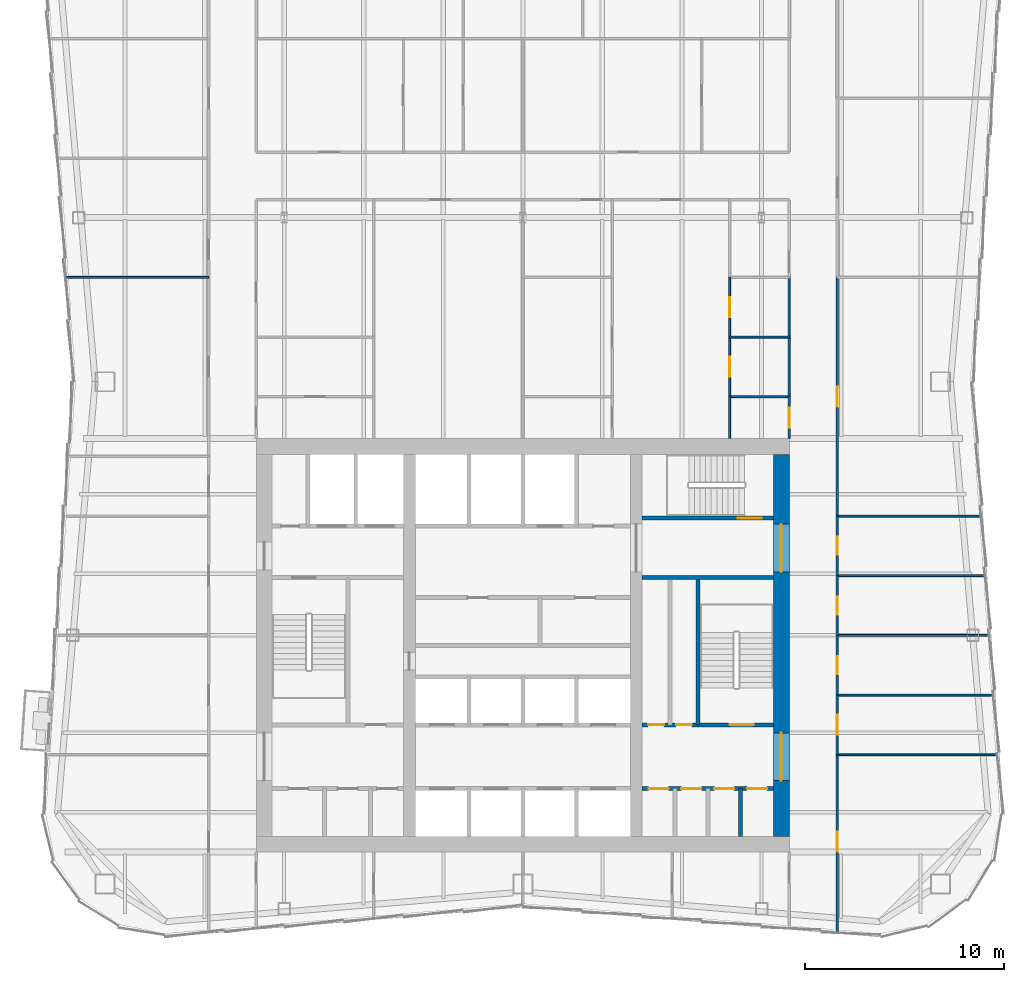
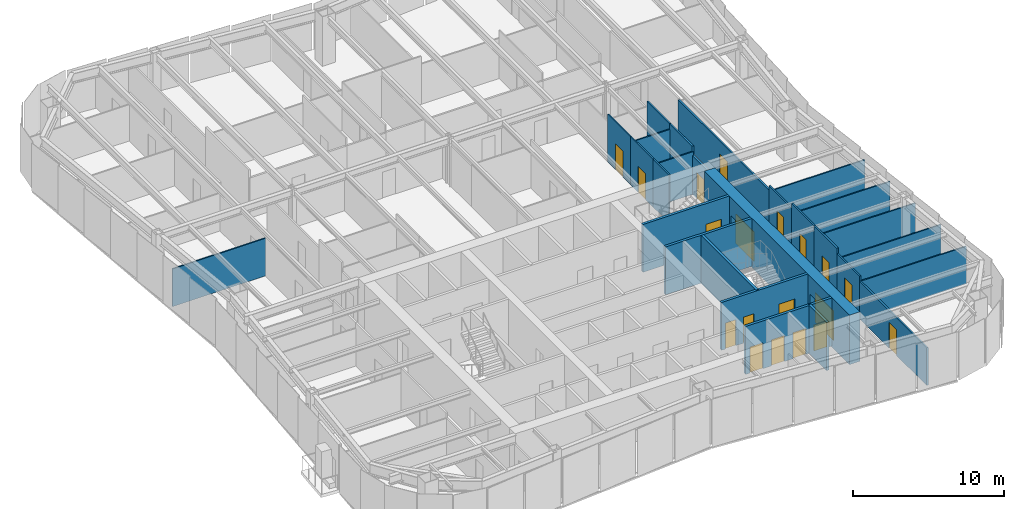
# One storey, part 8 of 12: 27 walls, 19 doors, 19 openings.
"""IFC4 building model written with IfcOpenShell, lengths in metres."""

from ifc_helpers import new_model, si_unit, direction, frame, frame_2d, origin, place, context, subcontext, project, spatial, rectangle, extrude, material, layer, layer_set, type_object, element, fill, save


model = new_model("IFC4")

# Units and contexts
model_context = context("Model", 3, precision=1e-05, world=origin(), true_north=direction((0.0, 1.0)))
body_context = subcontext(model_context, "Body", "Model", "MODEL_VIEW")
ifc_project = project(units=[si_unit("LENGTHUNIT", "METRE"), si_unit("AREAUNIT", "SQUARE_METRE"), si_unit("VOLUMEUNIT", "CUBIC_METRE"), si_unit("PLANEANGLEUNIT", "RADIAN"), si_unit("MASSUNIT", "GRAM", prefix="KILO")], contexts=[model_context])

# Site, building, storey
site_placement = place(None, origin())
site = spatial("IfcSite", under=ifc_project, at=site_placement, CompositionType="ELEMENT")
building_placement = place(site_placement, origin())
building = spatial("IfcBuilding", under=site, at=building_placement, Name="Verdant Reach Tower", CompositionType="ELEMENT")
storey_placement = place(building_placement, frame((0.0, 0.0, 270.0)))
storey = spatial("IfcBuildingStorey", under=building, at=storey_placement, Name="L62", CompositionType="ELEMENT", Elevation=270.0)

# Wall, openings, doors
ifc_material_1 = material(Name="Gypsum board on steel studs", Category="steel")
ifc_layer_1 = layer(ifc_material_1, 0.199951171875)
ifc_layer_set_1 = layer_set([ifc_layer_1], Name="CO-WALL-ROOM")
wall_type_1 = type_object("IfcWallType", Name="CO-WALL-ROOM", PredefinedType="PARTITIONING", material=ifc_layer_set_1)
wall_1_placement = place(storey_placement, frame((6.0, 20.800048828125, 0.0), z_axis=(0.0, 0.0, 1.0), x_axis=(1.0, 0.0, 0.0)))
wall_1 = element("IfcWall", 1, at=wall_1_placement, inside=storey, type_object=wall_type_1, Name="Core partition, L62", PredefinedType="PARTITIONING", context=body_context, shape_type="SweptSolid", body=[
    extrude(rectangle(XDim=6.60009765625, YDim=0.199951171875, at=frame_2d((3.300048828125, 0.0))), origin(), (0.0, 0.0, 1.0), 3.8701171875),
])
opening_1_placement = place(wall_1_placement, frame((0.324951171875, 0.0, 0.0)))
opening_1 = element("IfcOpeningElement", 2, at=opening_1_placement, cuts=wall_1, Name="Opening CD", PredefinedType="OPENING", context=body_context, shape_type="SweptSolid", body=[
    extrude(rectangle(XDim=1.0, YDim=2.10009765625, at=frame_2d((0.5, 1.050048828125))), frame((0.0, 0.10986328125, 0.0), z_axis=(0.0, -1.0, 0.0), x_axis=(1.0, 0.0, 0.0)), (0.0, 0.0, 1.0), 0.219970703125),
])
opening_2_placement = place(wall_1_placement, frame((1.97509765625, 0.0, 0.0)))
opening_2 = element("IfcOpeningElement", 3, at=opening_2_placement, cuts=wall_1, Name="Opening CD", PredefinedType="OPENING", context=body_context, shape_type="SweptSolid", body=[
    extrude(rectangle(XDim=1.0, YDim=2.10009765625, at=frame_2d((0.5, 1.050048828125))), frame((0.0, 0.10986328125, 0.0), z_axis=(0.0, -1.0, 0.0), x_axis=(1.0, 0.0, 0.0)), (0.0, 0.0, 1.0), 0.219970703125),
])
opening_3_placement = place(wall_1_placement, frame((3.625, 0.0, 0.0)))
opening_3 = element("IfcOpeningElement", 4, at=opening_3_placement, cuts=wall_1, Name="Opening CD", PredefinedType="OPENING", context=body_context, shape_type="SweptSolid", body=[
    extrude(rectangle(XDim=1.0, YDim=2.10009765625, at=frame_2d((0.5, 1.050048828125))), frame((0.0, 0.10986328125, 0.0), z_axis=(0.0, -1.0, 0.0), x_axis=(1.0, 0.0, 0.0)), (0.0, 0.0, 1.0), 0.219970703125),
])
opening_4_placement = place(wall_1_placement, frame((5.27490234375, 0.0, 0.0)))
opening_4 = element("IfcOpeningElement", 5, at=opening_4_placement, cuts=wall_1, Name="Opening CD", PredefinedType="OPENING", context=body_context, shape_type="SweptSolid", body=[
    extrude(rectangle(XDim=1.0, YDim=2.10009765625, at=frame_2d((0.5, 1.050048828125))), frame((0.0, 0.10986328125, 0.0), z_axis=(0.0, -1.0, 0.0), x_axis=(1.0, 0.0, 0.0)), (0.0, 0.0, 1.0), 0.219970703125),
])
ifc_material_2 = material(Name="Timber", Category="wood")
door_type_1 = type_object("IfcDoorType", Name="CO-DOOR-ROOM", OperationType="NOTDEFINED", PredefinedType="DOOR", material=ifc_material_2)
door_1_placement = place(opening_1_placement, origin())
door_1 = element("IfcDoor", 6, at=door_1_placement, inside=storey, type_object=door_type_1, Name="Core room door, L62", OperationType="SINGLE_SWING_LEFT", OverallHeight=2.10009765625, OverallWidth=1.0, PredefinedType="DOOR", context=body_context, shape_type="SweptSolid", body=[
    extrude(rectangle(XDim=1.0, YDim=2.10009765625, at=frame_2d((0.5, 1.050048828125))), frame((0.0, 0.02490234375, 0.0), z_axis=(0.0, -1.0, 0.0), x_axis=(1.0, 0.0, 0.0)), (0.0, 0.0, 1.0), 0.050048828125),
])
fill(opening_1, door_1)
door_2_placement = place(opening_2_placement, origin())
door_2 = element("IfcDoor", 7, at=door_2_placement, inside=storey, type_object=door_type_1, Name="Core room door, L62", OperationType="SINGLE_SWING_LEFT", OverallHeight=2.10009765625, OverallWidth=1.0, PredefinedType="DOOR", context=body_context, shape_type="SweptSolid", body=[
    extrude(rectangle(XDim=1.0, YDim=2.10009765625, at=frame_2d((0.5, 1.050048828125))), frame((0.0, 0.02490234375, 0.0), z_axis=(0.0, -1.0, 0.0), x_axis=(1.0, 0.0, 0.0)), (0.0, 0.0, 1.0), 0.050048828125),
])
fill(opening_2, door_2)
door_3_placement = place(opening_3_placement, origin())
door_3 = element("IfcDoor", 8, at=door_3_placement, inside=storey, type_object=door_type_1, Name="Core room door, L62", OperationType="SINGLE_SWING_RIGHT", OverallHeight=2.10009765625, OverallWidth=1.0, PredefinedType="DOOR", context=body_context, shape_type="SweptSolid", body=[
    extrude(rectangle(XDim=1.0, YDim=2.10009765625, at=frame_2d((0.5, 1.050048828125))), frame((0.0, 0.02490234375, 0.0), z_axis=(0.0, -1.0, 0.0), x_axis=(1.0, 0.0, 0.0)), (0.0, 0.0, 1.0), 0.050048828125),
])
fill(opening_3, door_3)
door_4_placement = place(opening_4_placement, origin())
door_4 = element("IfcDoor", 9, at=door_4_placement, inside=storey, type_object=door_type_1, Name="Core room door, L62", OperationType="SINGLE_SWING_RIGHT", OverallHeight=2.10009765625, OverallWidth=1.0, PredefinedType="DOOR", context=body_context, shape_type="SweptSolid", body=[
    extrude(rectangle(XDim=1.0, YDim=2.10009765625, at=frame_2d((0.5, 1.050048828125))), frame((0.0, 0.02490234375, 0.0), z_axis=(0.0, -1.0, 0.0), x_axis=(1.0, 0.0, 0.0)), (0.0, 0.0, 1.0), 0.050048828125),
])
fill(opening_4, door_4)

# Wall
wall_2_placement = place(storey_placement, frame((10.949951171875, 18.39990234375, 0.0), z_axis=(0.0, 0.0, 1.0), x_axis=(0.0, 1.0, 0.0)))
element("IfcWall", 10, at=wall_2_placement, inside=storey, type_object=wall_type_1, Name="Core partition, L62", PredefinedType="PARTITIONING", context=body_context, shape_type="SweptSolid", body=[
    extrude(rectangle(XDim=2.400146484375, YDim=0.199951171875, at=frame_2d((1.2001953125, 0.0))), origin(), (0.0, 0.0, 1.0), 3.8701171875),
])

# Wall, openings, doors
ifc_material_3 = material(Name="Concrete C40/50", Category="concrete")
ifc_layer_2 = layer(ifc_material_3, 0.199951171875)
ifc_layer_set_2 = layer_set([ifc_layer_2], Name="CO-WALL-STAIR")
wall_type_2 = type_object("IfcWallType", Name="CO-WALL-STAIR", PredefinedType="PARTITIONING", material=ifc_layer_set_2)
wall_3_placement = place(storey_placement, frame((6.0, 24.0, 0.0), z_axis=(0.0, 0.0, 1.0), x_axis=(1.0, 0.0, 0.0)))
wall_3 = element("IfcWall", 11, at=wall_3_placement, inside=storey, type_object=wall_type_2, Name="Stair enclosure wall, L62", PredefinedType="PARTITIONING", context=body_context, shape_type="SweptSolid", body=[
    extrude(rectangle(XDim=6.60009765625, YDim=0.199951171875, at=frame_2d((3.300048828125, 0.0))), origin(), (0.0, 0.0, 1.0), 3.8701171875),
])
opening_5_placement = place(wall_3_placement, frame((0.300048828125, 0.0, 0.0)))
opening_5 = element("IfcOpeningElement", 12, at=opening_5_placement, cuts=wall_3, Name="Opening CDN", PredefinedType="OPENING", context=body_context, shape_type="SweptSolid", body=[
    extrude(rectangle(XDim=0.800048828125, YDim=2.10009765625, at=frame_2d((0.39990234375, 1.050048828125))), frame((0.0, 0.10986328125, 0.0), z_axis=(0.0, -1.0, 0.0), x_axis=(1.0, 0.0, 0.0)), (0.0, 0.0, 1.0), 0.219970703125),
])
opening_6_placement = place(wall_3_placement, frame((1.699951171875, 0.0, 0.0)))
opening_6 = element("IfcOpeningElement", 13, at=opening_6_placement, cuts=wall_3, Name="Opening CDN", PredefinedType="OPENING", context=body_context, shape_type="SweptSolid", body=[
    extrude(rectangle(XDim=0.800048828125, YDim=2.10009765625, at=frame_2d((0.39990234375, 1.050048828125))), frame((0.0, 0.10986328125, 0.0), z_axis=(0.0, -1.0, 0.0), x_axis=(1.0, 0.0, 0.0)), (0.0, 0.0, 1.0), 0.219970703125),
])
opening_7_placement = place(wall_3_placement, frame((4.39990234375, 0.0, 0.0)))
opening_7 = element("IfcOpeningElement", 14, at=opening_7_placement, cuts=wall_3, Name="Opening SD", PredefinedType="OPENING", context=body_context, shape_type="SweptSolid", body=[
    extrude(rectangle(XDim=1.199951171875, YDim=2.199951171875, at=frame_2d((0.60009765625, 1.10009765625))), frame((0.0, 0.10986328125, 0.0), z_axis=(0.0, -1.0, 0.0), x_axis=(1.0, 0.0, 0.0)), (0.0, 0.0, 1.0), 0.219970703125),
])
door_type_2 = type_object("IfcDoorType", Name="CO-DOOR-ROOM-NARROW", OperationType="NOTDEFINED", PredefinedType="DOOR", material=ifc_material_2)
door_5_placement = place(opening_5_placement, origin())
door_5 = element("IfcDoor", 15, at=door_5_placement, inside=storey, type_object=door_type_2, Name="Core room door, L62", OperationType="SINGLE_SWING_LEFT", OverallHeight=2.10009765625, OverallWidth=0.800048828125, PredefinedType="DOOR", context=body_context, shape_type="SweptSolid", body=[
    extrude(rectangle(XDim=0.800048828125, YDim=2.10009765625, at=frame_2d((0.39990234375, 1.050048828125))), frame((0.0, 0.02490234375, 0.0), z_axis=(0.0, -1.0, 0.0), x_axis=(1.0, 0.0, 0.0)), (0.0, 0.0, 1.0), 0.050048828125),
])
fill(opening_5, door_5)
door_6_placement = place(opening_6_placement, origin())
door_6 = element("IfcDoor", 16, at=door_6_placement, inside=storey, type_object=door_type_2, Name="Core room door, L62", OperationType="SINGLE_SWING_RIGHT", OverallHeight=2.10009765625, OverallWidth=0.800048828125, PredefinedType="DOOR", context=body_context, shape_type="SweptSolid", body=[
    extrude(rectangle(XDim=0.800048828125, YDim=2.10009765625, at=frame_2d((0.39990234375, 1.050048828125))), frame((0.0, 0.02490234375, 0.0), z_axis=(0.0, -1.0, 0.0), x_axis=(1.0, 0.0, 0.0)), (0.0, 0.0, 1.0), 0.050048828125),
])
fill(opening_6, door_6)
ifc_material_4 = material(Name="Steel", Category="steel")
door_type_3 = type_object("IfcDoorType", Name="CO-DOOR-STAIR", OperationType="NOTDEFINED", PredefinedType="DOOR", material=ifc_material_4)
door_7_placement = place(opening_7_placement, origin())
door_7 = element("IfcDoor", 17, at=door_7_placement, inside=storey, type_object=door_type_3, Name="Stair door, L62", OperationType="SINGLE_SWING_LEFT", OverallHeight=2.199951171875, OverallWidth=1.199951171875, PredefinedType="DOOR", context=body_context, shape_type="SweptSolid", body=[
    extrude(rectangle(XDim=1.199951171875, YDim=2.199951171875, at=frame_2d((0.60009765625, 1.10009765625))), frame((0.0, 0.02490234375, 0.0), z_axis=(0.0, -1.0, 0.0), x_axis=(1.0, 0.0, 0.0)), (0.0, 0.0, 1.0), 0.050048828125),
])
fill(opening_7, door_7)

# Wall
wall_4_placement = place(storey_placement, frame((6.0, 31.39990234375, 0.0), z_axis=(0.0, 0.0, 1.0), x_axis=(1.0, 0.0, 0.0)))
element("IfcWall", 18, at=wall_4_placement, inside=storey, type_object=wall_type_2, Name="Stair enclosure wall, L62", PredefinedType="PARTITIONING", context=body_context, shape_type="SweptSolid", body=[
    extrude(rectangle(XDim=6.60009765625, YDim=0.199951171875, at=frame_2d((3.300048828125, 0.0))), origin(), (0.0, 0.0, 1.0), 3.8701171875),
])

# Wall, opening, door
wall_5_placement = place(storey_placement, frame((6.0, 34.39990234375, 0.0), z_axis=(0.0, 0.0, 1.0), x_axis=(1.0, 0.0, 0.0)))
wall_5 = element("IfcWall", 19, at=wall_5_placement, inside=storey, type_object=wall_type_2, Name="Stair enclosure wall, L62", PredefinedType="PARTITIONING", context=body_context, shape_type="SweptSolid", body=[
    extrude(rectangle(XDim=6.60009765625, YDim=0.199951171875, at=frame_2d((3.300048828125, 0.0))), origin(), (0.0, 0.0, 1.0), 3.8701171875),
])
opening_8_placement = place(wall_5_placement, frame((4.800048828125, 0.0, 0.0)))
opening_8 = element("IfcOpeningElement", 20, at=opening_8_placement, cuts=wall_5, Name="Opening SD", PredefinedType="OPENING", context=body_context, shape_type="SweptSolid", body=[
    extrude(rectangle(XDim=1.199951171875, YDim=2.199951171875, at=frame_2d((0.60009765625, 1.10009765625))), frame((0.0, 0.10986328125, 0.0), z_axis=(0.0, -1.0, 0.0), x_axis=(1.0, 0.0, 0.0)), (0.0, 0.0, 1.0), 0.219970703125),
])
door_8_placement = place(opening_8_placement, origin())
door_8 = element("IfcDoor", 21, at=door_8_placement, inside=storey, type_object=door_type_3, Name="Stair door, L62", OperationType="SINGLE_SWING_RIGHT", OverallHeight=2.199951171875, OverallWidth=1.199951171875, PredefinedType="DOOR", context=body_context, shape_type="SweptSolid", body=[
    extrude(rectangle(XDim=1.199951171875, YDim=2.199951171875, at=frame_2d((0.60009765625, 1.10009765625))), frame((0.0, 0.02490234375, 0.0), z_axis=(0.0, -1.0, 0.0), x_axis=(1.0, 0.0, 0.0)), (0.0, 0.0, 1.0), 0.050048828125),
])
fill(opening_8, door_8)

# Walls
wall_6_placement = place(storey_placement, frame((8.800048828125, 24.0, 0.0), z_axis=(0.0, 0.0, 1.0), x_axis=(0.0, 1.0, 0.0)))
element("IfcWall", 22, at=wall_6_placement, inside=storey, type_object=wall_type_2, Name="Stair enclosure wall, L62", PredefinedType="PARTITIONING", context=body_context, shape_type="SweptSolid", body=[
    extrude(rectangle(XDim=7.39990234375, YDim=0.199951171875, at=frame_2d((3.699951171875, 0.0))), origin(), (0.0, 0.0, 1.0), 3.8701171875),
])
ifc_layer_3 = layer(ifc_material_1, 0.10009765625)
ifc_layer_set_3 = layer_set([ifc_layer_3], Name="FL-W1 Partition 100")
wall_type_3 = type_object("IfcWallType", Name="FL-W1 Partition 100", PredefinedType="PARTITIONING", material=ifc_layer_set_3)
wall_7_placement = place(storey_placement, frame((-15.800048828125, 46.5, 0.0), z_axis=(0.0, 0.0, 1.0), x_axis=(-1.0, 0.0, 0.0)))
element("IfcWall", 23, at=wall_7_placement, inside=storey, type_object=wall_type_3, Name="Partition 62.45", PredefinedType="PARTITIONING", context=body_context, shape_type="SweptSolid", body=[
    extrude(rectangle(XDim=7.14208984375, YDim=0.10009765625, at=frame_2d((3.571044921875, 0.0))), origin(), (0.0, 0.0, 1.0), 3.0400390625),
])
wall_8_placement = place(storey_placement, frame((23.873046875, 22.5, 0.0), z_axis=(0.0, 0.0, 1.0), x_axis=(-1.0, 0.0, 0.0)))
element("IfcWall", 24, at=wall_8_placement, inside=storey, type_object=wall_type_3, Name="Partition 62.49", PredefinedType="PARTITIONING", context=body_context, shape_type="SweptSolid", body=[
    extrude(rectangle(XDim=8.072998046875, YDim=0.10009765625, at=frame_2d((4.03662109375, 0.0))), origin(), (0.0, 0.0, 1.0), 3.0400390625),
])
wall_9_placement = place(storey_placement, frame((23.666259765625, 25.5, 0.0), z_axis=(0.0, 0.0, 1.0), x_axis=(-1.0, 0.0, 0.0)))
element("IfcWall", 25, at=wall_9_placement, inside=storey, type_object=wall_type_3, Name="Partition 62.50", PredefinedType="PARTITIONING", context=body_context, shape_type="SweptSolid", body=[
    extrude(rectangle(XDim=7.8662109375, YDim=0.10009765625, at=frame_2d((3.93310546875, 0.0))), origin(), (0.0, 0.0, 1.0), 3.0400390625),
])
wall_10_placement = place(storey_placement, frame((23.459228515625, 28.5, 0.0), z_axis=(0.0, 0.0, 1.0), x_axis=(-1.0, 0.0, 0.0)))
element("IfcWall", 26, at=wall_10_placement, inside=storey, type_object=wall_type_3, Name="Partition 62.51", PredefinedType="PARTITIONING", context=body_context, shape_type="SweptSolid", body=[
    extrude(rectangle(XDim=7.6591796875, YDim=0.10009765625, at=frame_2d((3.82958984375, 0.0))), origin(), (0.0, 0.0, 1.0), 3.0400390625),
])
wall_11_placement = place(storey_placement, frame((23.25244140625, 31.5, 0.0), z_axis=(0.0, 0.0, 1.0), x_axis=(-1.0, 0.0, 0.0)))
element("IfcWall", 27, at=wall_11_placement, inside=storey, type_object=wall_type_3, Name="Partition 62.52", PredefinedType="PARTITIONING", context=body_context, shape_type="SweptSolid", body=[
    extrude(rectangle(XDim=7.452392578125, YDim=0.10009765625, at=frame_2d((3.72607421875, 0.0))), origin(), (0.0, 0.0, 1.0), 3.0400390625),
])
wall_12_placement = place(storey_placement, frame((23.04541015625, 34.5, 0.0), z_axis=(0.0, 0.0, 1.0), x_axis=(-1.0, 0.0, 0.0)))
element("IfcWall", 28, at=wall_12_placement, inside=storey, type_object=wall_type_3, Name="Partition 62.53", PredefinedType="PARTITIONING", context=body_context, shape_type="SweptSolid", body=[
    extrude(rectangle(XDim=7.245361328125, YDim=0.10009765625, at=frame_2d((3.62255859375, 0.0))), origin(), (0.0, 0.0, 1.0), 3.0400390625),
])
wall_13_placement = place(storey_placement, frame((13.39990234375, 40.5, 0.0), z_axis=(0.0, 0.0, 1.0), x_axis=(-1.0, 0.0, 0.0)))
element("IfcWall", 29, at=wall_13_placement, inside=storey, type_object=wall_type_3, Name="Partition 62.67", PredefinedType="PARTITIONING", context=body_context, shape_type="SweptSolid", body=[
    extrude(rectangle(XDim=3.0, YDim=0.10009765625, at=frame_2d((1.5, 0.0))), origin(), (0.0, 0.0, 1.0), 3.43994140625),
])
wall_14_placement = place(storey_placement, frame((10.39990234375, 40.50390625, 0.0), z_axis=(0.0, 0.0, 1.0), x_axis=(0.0, -1.0, 0.0)))
element("IfcWall", 30, at=wall_14_placement, inside=storey, type_object=wall_type_3, Name="Partition 62.68", PredefinedType="PARTITIONING", context=body_context, shape_type="SweptSolid", body=[
    extrude(rectangle(XDim=2.10400390625, YDim=0.10009765625, at=frame_2d((1.052001953125, 0.0))), origin(), (0.0, 0.0, 1.0), 3.8701171875),
])
wall_15_placement = place(storey_placement, frame((13.39990234375, 43.5, 0.0), z_axis=(0.0, 0.0, 1.0), x_axis=(-1.0, 0.0, 0.0)))
element("IfcWall", 31, at=wall_15_placement, inside=storey, type_object=wall_type_3, Name="Partition 62.69", PredefinedType="PARTITIONING", context=body_context, shape_type="SweptSolid", body=[
    extrude(rectangle(XDim=3.0, YDim=0.10009765625, at=frame_2d((1.5, 0.0))), origin(), (0.0, 0.0, 1.0), 3.43994140625),
])

# Wall, opening, door
wall_16_placement = place(storey_placement, frame((10.39990234375, 43.50390625, 0.0), z_axis=(0.0, 0.0, 1.0), x_axis=(0.0, -1.0, 0.0)))
wall_16 = element("IfcWall", 32, at=wall_16_placement, inside=storey, type_object=wall_type_3, Name="Partition 62.70", PredefinedType="PARTITIONING", context=body_context, shape_type="SweptSolid", body=[
    extrude(rectangle(XDim=3.0078125, YDim=0.10009765625, at=frame_2d((1.50390625, 0.0))), origin(), (0.0, 0.0, 1.0), 3.8701171875),
])
opening_9_placement = place(wall_16_placement, frame((1.00390625, 0.0, 0.0)))
opening_9 = element("IfcOpeningElement", 33, at=opening_9_placement, cuts=wall_16, Name="Opening D3", PredefinedType="OPENING", context=body_context, shape_type="SweptSolid", body=[
    extrude(rectangle(XDim=1.0, YDim=2.10009765625, at=frame_2d((0.5, 1.050048828125))), frame((0.0, 0.06005859375, 0.0), z_axis=(0.0, -1.0, 0.0), x_axis=(1.0, 0.0, 0.0)), (0.0, 0.0, 1.0), 0.1201171875),
])
ifc_material_5 = material(Name="Painted timber door leaf", Category="wood")
door_type_4 = type_object("IfcDoorType", Name="FL-D3 Door 1000x2100", OperationType="NOTDEFINED", PredefinedType="DOOR", material=ifc_material_5)
door_9_placement = place(opening_9_placement, origin())
door_9 = element("IfcDoor", 34, at=door_9_placement, inside=storey, type_object=door_type_4, Name="Door 62-034", OperationType="SINGLE_SWING_RIGHT", OverallHeight=2.10009765625, OverallWidth=1.0, PredefinedType="DOOR", context=body_context, shape_type="SweptSolid", body=[
    extrude(rectangle(XDim=1.0, YDim=2.10009765625, at=frame_2d((0.5, 1.050048828125))), frame((0.0, 0.02490234375, 0.0), z_axis=(0.0, -1.0, 0.0), x_axis=(1.0, 0.0, 0.0)), (0.0, 0.0, 1.0), 0.050048828125),
])
fill(opening_9, door_9)

wall_17_placement = place(storey_placement, frame((10.39990234375, 46.50390625, 0.0), z_axis=(0.0, 0.0, 1.0), x_axis=(0.0, -1.0, 0.0)))
wall_17 = element("IfcWall", 35, at=wall_17_placement, inside=storey, type_object=wall_type_3, Name="Partition 62.72", PredefinedType="PARTITIONING", context=body_context, shape_type="SweptSolid", body=[
    extrude(rectangle(XDim=3.0078125, YDim=0.10009765625, at=frame_2d((1.50390625, 0.0))), origin(), (0.0, 0.0, 1.0), 3.8701171875),
])
opening_10_placement = place(wall_17_placement, frame((1.00390625, 0.0, 0.0)))
opening_10 = element("IfcOpeningElement", 36, at=opening_10_placement, cuts=wall_17, Name="Opening D3", PredefinedType="OPENING", context=body_context, shape_type="SweptSolid", body=[
    extrude(rectangle(XDim=1.0, YDim=2.10009765625, at=frame_2d((0.5, 1.050048828125))), frame((0.0, 0.06005859375, 0.0), z_axis=(0.0, -1.0, 0.0), x_axis=(1.0, 0.0, 0.0)), (0.0, 0.0, 1.0), 0.1201171875),
])
door_10_placement = place(opening_10_placement, origin())
door_10 = element("IfcDoor", 37, at=door_10_placement, inside=storey, type_object=door_type_4, Name="Door 62-035", OperationType="SINGLE_SWING_LEFT", OverallHeight=2.10009765625, OverallWidth=1.0, PredefinedType="DOOR", context=body_context, shape_type="SweptSolid", body=[
    extrude(rectangle(XDim=1.0, YDim=2.10009765625, at=frame_2d((0.5, 1.050048828125))), frame((0.0, 0.02490234375, 0.0), z_axis=(0.0, -1.0, 0.0), x_axis=(1.0, 0.0, 0.0)), (0.0, 0.0, 1.0), 0.050048828125),
])
fill(opening_10, door_10)

ifc_material_6 = material(Name="Gypsum board on steel studs, fire rated", Category="steel")
ifc_layer_4 = layer(ifc_material_6, 0.125)
ifc_layer_set_4 = layer_set([ifc_layer_4], Name="FL-W2 Corridor wall 125")
wall_type_4 = type_object("IfcWallType", Name="FL-W2 Corridor wall 125", PredefinedType="PARTITIONING", material=ifc_layer_set_4)
wall_18_placement = place(storey_placement, frame((15.800048828125, 22.5, 0.0), z_axis=(0.0, 0.0, 1.0), x_axis=(0.0, -1.0, 0.0)))
wall_18 = element("IfcWall", 38, at=wall_18_placement, inside=storey, type_object=wall_type_4, Name="Partition 62.10", PredefinedType="PARTITIONING", context=body_context, shape_type="SweptSolid", body=[
    extrude(rectangle(XDim=8.896728515625, YDim=0.125, at=frame_2d((4.4482421875, 0.0))), origin(), (0.0, 0.0, 1.0), 3.0400390625),
])
opening_11_placement = place(wall_18_placement, frame((3.88330078125, 0.0, 0.0)))
opening_11 = element("IfcOpeningElement", 39, at=opening_11_placement, cuts=wall_18, Name="Opening D2", PredefinedType="OPENING", context=body_context, shape_type="SweptSolid", body=[
    extrude(rectangle(XDim=1.0, YDim=2.10009765625, at=frame_2d((0.5, 1.050048828125))), frame((0.0, 0.072509765625, 0.0), z_axis=(0.0, -1.0, 0.0), x_axis=(1.0, 0.0, 0.0)), (0.0, 0.0, 1.0), 0.14501953125),
])
ifc_material_7 = material(Name="Timber door leaf, fire rated", Category="wood")
door_type_5 = type_object("IfcDoorType", Name="FL-D2 Entrance door 1000x2100 FD30", OperationType="NOTDEFINED", PredefinedType="DOOR", material=ifc_material_7)
door_11_placement = place(opening_11_placement, origin())
door_11 = element("IfcDoor", 40, at=door_11_placement, inside=storey, type_object=door_type_5, Name="Door 62-010", OperationType="SINGLE_SWING_LEFT", OverallHeight=2.10009765625, OverallWidth=1.0, PredefinedType="DOOR", context=body_context, shape_type="SweptSolid", body=[
    extrude(rectangle(XDim=1.0, YDim=2.10009765625, at=frame_2d((0.5, 1.050048828125))), frame((0.0, 0.02490234375, 0.0), z_axis=(0.0, -1.0, 0.0), x_axis=(1.0, 0.0, 0.0)), (0.0, 0.0, 1.0), 0.050048828125),
])
fill(opening_11, door_11)

wall_19_placement = place(storey_placement, frame((15.800048828125, 25.5, 0.0), z_axis=(0.0, 0.0, 1.0), x_axis=(0.0, -1.0, 0.0)))
wall_19 = element("IfcWall", 41, at=wall_19_placement, inside=storey, type_object=wall_type_4, Name="Partition 62.11", PredefinedType="PARTITIONING", context=body_context, shape_type="SweptSolid", body=[
    extrude(rectangle(XDim=3.0, YDim=0.125, at=frame_2d((1.5, 0.0))), origin(), (0.0, 0.0, 1.0), 3.43994140625),
])
opening_12_placement = place(wall_19_placement, frame((1.0, 0.0, 0.0)))
opening_12 = element("IfcOpeningElement", 42, at=opening_12_placement, cuts=wall_19, Name="Opening D2", PredefinedType="OPENING", context=body_context, shape_type="SweptSolid", body=[
    extrude(rectangle(XDim=1.0, YDim=2.10009765625, at=frame_2d((0.5, 1.050048828125))), frame((0.0, 0.072509765625, 0.0), z_axis=(0.0, -1.0, 0.0), x_axis=(1.0, 0.0, 0.0)), (0.0, 0.0, 1.0), 0.14501953125),
])
door_12_placement = place(opening_12_placement, origin())
door_12 = element("IfcDoor", 43, at=door_12_placement, inside=storey, type_object=door_type_5, Name="Door 62-011", OperationType="SINGLE_SWING_LEFT", OverallHeight=2.10009765625, OverallWidth=1.0, PredefinedType="DOOR", context=body_context, shape_type="SweptSolid", body=[
    extrude(rectangle(XDim=1.0, YDim=2.10009765625, at=frame_2d((0.5, 1.050048828125))), frame((0.0, 0.02490234375, 0.0), z_axis=(0.0, -1.0, 0.0), x_axis=(1.0, 0.0, 0.0)), (0.0, 0.0, 1.0), 0.050048828125),
])
fill(opening_12, door_12)

wall_20_placement = place(storey_placement, frame((15.800048828125, 28.5, 0.0), z_axis=(0.0, 0.0, 1.0), x_axis=(0.0, -1.0, 0.0)))
wall_20 = element("IfcWall", 44, at=wall_20_placement, inside=storey, type_object=wall_type_4, Name="Partition 62.12", PredefinedType="PARTITIONING", context=body_context, shape_type="SweptSolid", body=[
    extrude(rectangle(XDim=3.0, YDim=0.125, at=frame_2d((1.5, 0.0))), origin(), (0.0, 0.0, 1.0), 3.8701171875),
])
opening_13_placement = place(wall_20_placement, frame((1.050048828125, 0.0, 0.0)))
opening_13 = element("IfcOpeningElement", 45, at=opening_13_placement, cuts=wall_20, Name="Opening D1", PredefinedType="OPENING", context=body_context, shape_type="SweptSolid", body=[
    extrude(rectangle(XDim=0.89990234375, YDim=2.10009765625, at=frame_2d((0.449951171875, 1.050048828125))), frame((0.0, 0.072509765625, 0.0), z_axis=(0.0, -1.0, 0.0), x_axis=(1.0, 0.0, 0.0)), (0.0, 0.0, 1.0), 0.14501953125),
])
door_type_6 = type_object("IfcDoorType", Name="FL-D1 Door 900x2100", OperationType="NOTDEFINED", PredefinedType="DOOR", material=ifc_material_5)
door_13_placement = place(opening_13_placement, origin())
door_13 = element("IfcDoor", 46, at=door_13_placement, inside=storey, type_object=door_type_6, Name="Door 62-012", OperationType="SINGLE_SWING_RIGHT", OverallHeight=2.10009765625, OverallWidth=0.89990234375, PredefinedType="DOOR", context=body_context, shape_type="SweptSolid", body=[
    extrude(rectangle(XDim=0.89990234375, YDim=2.10009765625, at=frame_2d((0.449951171875, 1.050048828125))), frame((0.0, 0.02490234375, 0.0), z_axis=(0.0, -1.0, 0.0), x_axis=(1.0, 0.0, 0.0)), (0.0, 0.0, 1.0), 0.050048828125),
])
fill(opening_13, door_13)

wall_21_placement = place(storey_placement, frame((15.800048828125, 31.5, 0.0), z_axis=(0.0, 0.0, 1.0), x_axis=(0.0, -1.0, 0.0)))
wall_21 = element("IfcWall", 47, at=wall_21_placement, inside=storey, type_object=wall_type_4, Name="Partition 62.13", PredefinedType="PARTITIONING", context=body_context, shape_type="SweptSolid", body=[
    extrude(rectangle(XDim=3.0, YDim=0.125, at=frame_2d((1.5, 0.0))), origin(), (0.0, 0.0, 1.0), 3.8701171875),
])
opening_14_placement = place(wall_21_placement, frame((1.050048828125, 0.0, 0.0)))
opening_14 = element("IfcOpeningElement", 48, at=opening_14_placement, cuts=wall_21, Name="Opening D1", PredefinedType="OPENING", context=body_context, shape_type="SweptSolid", body=[
    extrude(rectangle(XDim=0.89990234375, YDim=2.10009765625, at=frame_2d((0.449951171875, 1.050048828125))), frame((0.0, 0.072509765625, 0.0), z_axis=(0.0, -1.0, 0.0), x_axis=(1.0, 0.0, 0.0)), (0.0, 0.0, 1.0), 0.14501953125),
])
door_14_placement = place(opening_14_placement, origin())
door_14 = element("IfcDoor", 49, at=door_14_placement, inside=storey, type_object=door_type_6, Name="Door 62-013", OperationType="SINGLE_SWING_LEFT", OverallHeight=2.10009765625, OverallWidth=0.89990234375, PredefinedType="DOOR", context=body_context, shape_type="SweptSolid", body=[
    extrude(rectangle(XDim=0.89990234375, YDim=2.10009765625, at=frame_2d((0.449951171875, 1.050048828125))), frame((0.0, 0.02490234375, 0.0), z_axis=(0.0, -1.0, 0.0), x_axis=(1.0, 0.0, 0.0)), (0.0, 0.0, 1.0), 0.050048828125),
])
fill(opening_14, door_14)

wall_22_placement = place(storey_placement, frame((15.800048828125, 34.5, 0.0), z_axis=(0.0, 0.0, 1.0), x_axis=(0.0, -1.0, 0.0)))
wall_22 = element("IfcWall", 50, at=wall_22_placement, inside=storey, type_object=wall_type_4, Name="Partition 62.14", PredefinedType="PARTITIONING", context=body_context, shape_type="SweptSolid", body=[
    extrude(rectangle(XDim=3.0, YDim=0.125, at=frame_2d((1.5, 0.0))), origin(), (0.0, 0.0, 1.0), 3.47998046875),
])
opening_15_placement = place(wall_22_placement, frame((1.050048828125, 0.0, 0.0)))
opening_15 = element("IfcOpeningElement", 51, at=opening_15_placement, cuts=wall_22, Name="Opening D1", PredefinedType="OPENING", context=body_context, shape_type="SweptSolid", body=[
    extrude(rectangle(XDim=0.89990234375, YDim=2.10009765625, at=frame_2d((0.449951171875, 1.050048828125))), frame((0.0, 0.072509765625, 0.0), z_axis=(0.0, -1.0, 0.0), x_axis=(1.0, 0.0, 0.0)), (0.0, 0.0, 1.0), 0.14501953125),
])
door_15_placement = place(opening_15_placement, origin())
door_15 = element("IfcDoor", 52, at=door_15_placement, inside=storey, type_object=door_type_6, Name="Door 62-014", OperationType="SINGLE_SWING_RIGHT", OverallHeight=2.10009765625, OverallWidth=0.89990234375, PredefinedType="DOOR", context=body_context, shape_type="SweptSolid", body=[
    extrude(rectangle(XDim=0.89990234375, YDim=2.10009765625, at=frame_2d((0.449951171875, 1.050048828125))), frame((0.0, 0.02490234375, 0.0), z_axis=(0.0, -1.0, 0.0), x_axis=(1.0, 0.0, 0.0)), (0.0, 0.0, 1.0), 0.050048828125),
])
fill(opening_15, door_15)

wall_23_placement = place(storey_placement, frame((15.800048828125, 46.5, 0.0), z_axis=(0.0, 0.0, 1.0), x_axis=(0.0, -1.0, 0.0)))
wall_23 = element("IfcWall", 53, at=wall_23_placement, inside=storey, type_object=wall_type_4, Name="Partition 62.15", PredefinedType="PARTITIONING", context=body_context, shape_type="SweptSolid", body=[
    extrude(rectangle(XDim=12.0, YDim=0.125, at=frame_2d((6.0, 0.0))), origin(), (0.0, 0.0, 1.0), 3.139892578125),
])
opening_16_placement = place(wall_23_placement, frame((5.5, 0.0, 0.0)))
opening_16 = element("IfcOpeningElement", 54, at=opening_16_placement, cuts=wall_23, Name="Opening D2", PredefinedType="OPENING", context=body_context, shape_type="SweptSolid", body=[
    extrude(rectangle(XDim=1.0, YDim=2.10009765625, at=frame_2d((0.5, 1.050048828125))), frame((0.0, 0.072509765625, 0.0), z_axis=(0.0, -1.0, 0.0), x_axis=(1.0, 0.0, 0.0)), (0.0, 0.0, 1.0), 0.14501953125),
])
door_16_placement = place(opening_16_placement, origin())
door_16 = element("IfcDoor", 55, at=door_16_placement, inside=storey, type_object=door_type_5, Name="Door 62-015", OperationType="SINGLE_SWING_LEFT", OverallHeight=2.10009765625, OverallWidth=1.0, PredefinedType="DOOR", context=body_context, shape_type="SweptSolid", body=[
    extrude(rectangle(XDim=1.0, YDim=2.10009765625, at=frame_2d((0.5, 1.050048828125))), frame((0.0, 0.02490234375, 0.0), z_axis=(0.0, -1.0, 0.0), x_axis=(1.0, 0.0, 0.0)), (0.0, 0.0, 1.0), 0.050048828125),
])
fill(opening_16, door_16)

wall_24_placement = place(storey_placement, frame((13.39990234375, 38.39990234375, 0.0), z_axis=(0.0, 0.0, 1.0), x_axis=(0.0, 1.0, 0.0)))
wall_24 = element("IfcWall", 56, at=wall_24_placement, inside=storey, type_object=wall_type_4, Name="Partition 62.25", PredefinedType="PARTITIONING", context=body_context, shape_type="SweptSolid", body=[
    extrude(rectangle(XDim=2.10009765625, YDim=0.125, at=frame_2d((1.050048828125, 0.0))), origin(), (0.0, 0.0, 1.0), 3.139892578125),
])
opening_17_placement = place(wall_24_placement, frame((0.550048828125, 0.0, 0.0)))
opening_17 = element("IfcOpeningElement", 57, at=opening_17_placement, cuts=wall_24, Name="Opening D2", PredefinedType="OPENING", context=body_context, shape_type="SweptSolid", body=[
    extrude(rectangle(XDim=1.0, YDim=2.10009765625, at=frame_2d((0.5, 1.050048828125))), frame((0.0, 0.072509765625, 0.0), z_axis=(0.0, -1.0, 0.0), x_axis=(1.0, 0.0, 0.0)), (0.0, 0.0, 1.0), 0.14501953125),
])
door_17_placement = place(opening_17_placement, origin())
door_17 = element("IfcDoor", 58, at=door_17_placement, inside=storey, type_object=door_type_5, Name="Door 62-023", OperationType="SINGLE_SWING_LEFT", OverallHeight=2.10009765625, OverallWidth=1.0, PredefinedType="DOOR", context=body_context, shape_type="SweptSolid", body=[
    extrude(rectangle(XDim=1.0, YDim=2.10009765625, at=frame_2d((0.5, 1.050048828125))), frame((0.0, 0.02490234375, 0.0), z_axis=(0.0, -1.0, 0.0), x_axis=(1.0, 0.0, 0.0)), (0.0, 0.0, 1.0), 0.050048828125),
])
fill(opening_17, door_17)

# Walls
for number, where, z_axis, x_axis, name in (
    (59, (13.39990234375, 40.5, 0.0), (0.0, 0.0, 1.0), (0.0, 1.0, 0.0), "Partition 62.26"),
    (60, (13.39990234375, 43.5, 0.0), (0.0, 0.0, 1.0), (0.0, 1.0, 0.0), "Partition 62.27"),
):
    element("IfcWall", number, at=place(storey_placement, frame(where, z_axis=z_axis, x_axis=x_axis)), inside=storey, type_object=wall_type_4, Name=name, PredefinedType="PARTITIONING", context=body_context, shape_type="SweptSolid", body=[
        extrude(rectangle(XDim=3.0, YDim=0.125, at=frame_2d((1.5, 0.0))), origin(), (0.0, 0.0, 1.0), 3.8701171875),
    ])

# Wall, openings, doors
ifc_material_8 = material(Name="Concrete C70/85", Category="concrete")
ifc_layer_5 = layer(ifc_material_8, 0.800048828125)
ifc_layer_set_5 = layer_set([ifc_layer_5], Name="ST-CORE-WALL-800")
wall_type_5 = type_object("IfcWallType", Name="ST-CORE-WALL-800", PredefinedType="SHEAR", material=ifc_layer_set_5)
wall_25_placement = place(storey_placement, frame((13.0, 18.39990234375, -0.1298828125), z_axis=(0.0, 0.0, 1.0), x_axis=(0.0, 1.0, 0.0)))
wall_25 = element("IfcWall", 61, at=wall_25_placement, inside=storey, type_object=wall_type_5, Name="Core wall E, L62", PredefinedType="SHEAR", context=body_context, shape_type="SweptSolid", body=[
    extrude(rectangle(XDim=19.2001953125, YDim=0.800048828125, at=frame_2d((9.60009765625, 0.0))), origin(), (0.0, 0.0, 1.0), 4.0),
])
opening_18_placement = place(wall_25_placement, frame((2.800048828125, 0.0, 0.1298828125)))
opening_18 = element("IfcOpeningElement", 62, at=opening_18_placement, cuts=wall_25, Name="Opening LB", PredefinedType="OPENING", context=body_context, shape_type="SweptSolid", body=[
    extrude(rectangle(XDim=2.39990234375, YDim=2.39990234375, at=frame_2d((1.199951171875, 1.199951171875))), frame((0.0, 0.409912109375, 0.0), z_axis=(0.0, -1.0, 0.0), x_axis=(1.0, 0.0, 0.0)), (0.0, 0.0, 1.0), 0.820068359375),
])
opening_19_placement = place(wall_25_placement, frame((13.300048828125, 0.0, 0.1298828125)))
opening_19 = element("IfcOpeningElement", 63, at=opening_19_placement, cuts=wall_25, Name="Opening LB", PredefinedType="OPENING", context=body_context, shape_type="SweptSolid", body=[
    extrude(rectangle(XDim=2.39990234375, YDim=2.39990234375, at=frame_2d((1.199951171875, 1.199951171875))), frame((0.0, 0.409912109375, 0.0), z_axis=(0.0, -1.0, 0.0), x_axis=(1.0, 0.0, 0.0)), (0.0, 0.0, 1.0), 0.820068359375),
])
ifc_material_9 = material(Name="Glass and steel", Category="steel")
door_type_7 = type_object("IfcDoorType", Name="CO-DOOR-LOBBY", OperationType="DOUBLE_DOOR_SINGLE_SWING", PredefinedType="DOOR", material=ifc_material_9)
door_18_placement = place(opening_18_placement, origin())
door_18 = element("IfcDoor", 64, at=door_18_placement, inside=storey, type_object=door_type_7, Name="Core entrance door, L62", OperationType="DOUBLE_DOOR_SINGLE_SWING", OverallHeight=2.39990234375, OverallWidth=2.39990234375, PredefinedType="DOOR", context=body_context, shape_type="SweptSolid", body=[
    extrude(rectangle(XDim=2.39990234375, YDim=2.39990234375, at=frame_2d((1.199951171875, 1.199951171875))), frame((0.0, 0.02490234375, 0.0), z_axis=(0.0, -1.0, 0.0), x_axis=(1.0, 0.0, 0.0)), (0.0, 0.0, 1.0), 0.050048828125),
])
fill(opening_18, door_18)
door_19_placement = place(opening_19_placement, origin())
door_19 = element("IfcDoor", 65, at=door_19_placement, inside=storey, type_object=door_type_7, Name="Core entrance door, L62", OperationType="DOUBLE_DOOR_SINGLE_SWING", OverallHeight=2.39990234375, OverallWidth=2.39990234375, PredefinedType="DOOR", context=body_context, shape_type="SweptSolid", body=[
    extrude(rectangle(XDim=2.39990234375, YDim=2.39990234375, at=frame_2d((1.199951171875, 1.199951171875))), frame((0.0, 0.02490234375, 0.0), z_axis=(0.0, -1.0, 0.0), x_axis=(1.0, 0.0, 0.0)), (0.0, 0.0, 1.0), 0.050048828125),
])
fill(opening_19, door_19)

save(model, "model.ifc")
